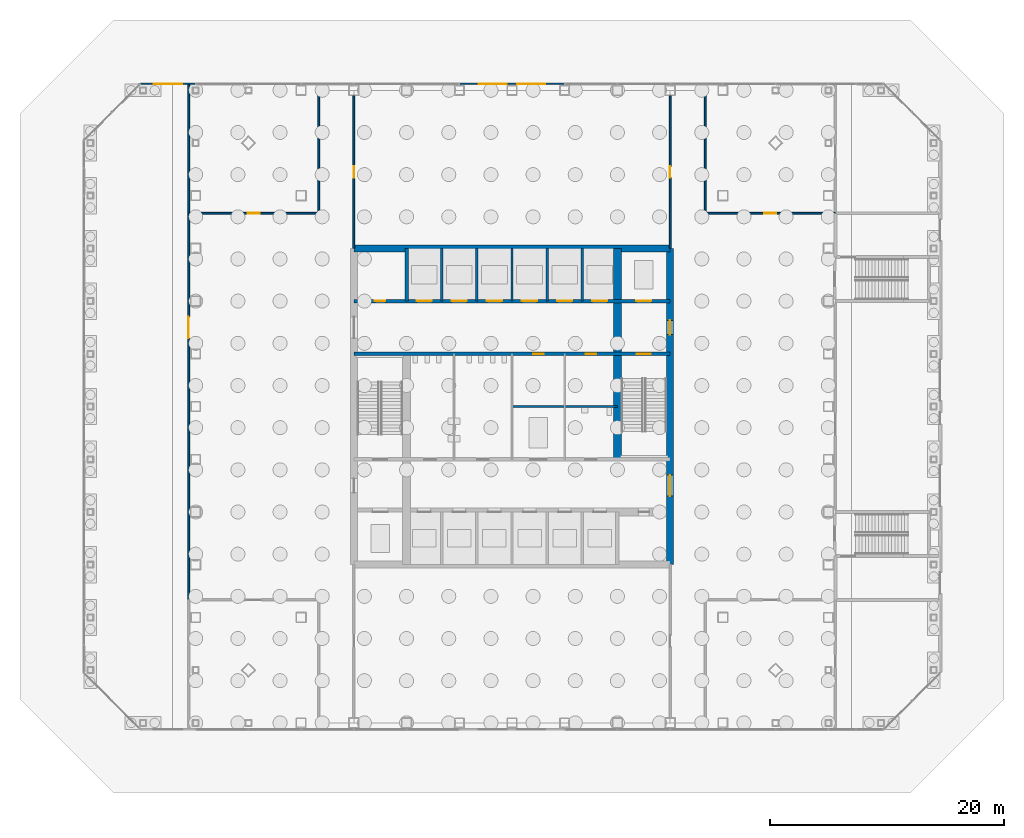
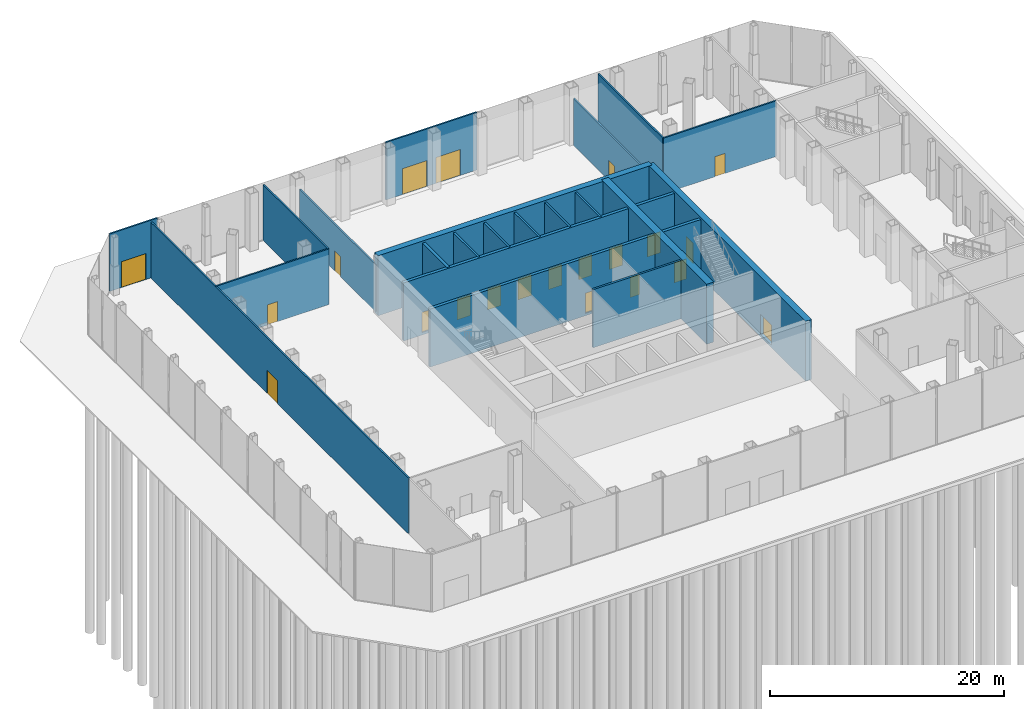
# One storey, part 18 of 24: 21 doors, 21 walls, 21 openings.
"""IFC4 building model written with IfcOpenShell, lengths in metres."""

import ifcopenshell
import ifcopenshell.guid

model = None  # the IFC model being written
_history = None  # IfcOwnerHistory: only IFC2X3 demands one
_inside = {}  # id of a spatial element -> (the spatial element, [elements in it])
_under = {}  # id of a project, library or spatial element -> (it, [spatial elements below it])
_declared = {}  # id of a project -> (the project, [libraries it declares])
_typed = {}  # id of a type object -> (the type object, [elements of that type])
_made_of = {}  # id of a material, layer set ... -> (it, [elements and type objects made of it])


def new_model(schema):
    """Start an empty IFC model of exactly this schema.

    Asked for "IFC4X3", IfcOpenShell would pick the latest addendum, in which some entities
    have other attributes; the version numbers below select the first issue.
    IFC2X3 requires an IfcOwnerHistory on every rooted entity: one is made here for all.
    """
    global model, _history
    if schema == "IFC4X3":
        model = ifcopenshell.file(schema_version=(4, 3, 0, 0))
    else:
        model = ifcopenshell.file(schema=schema)
    _inside.clear()
    _under.clear()
    _declared.clear()
    _typed.clear()
    _made_of.clear()
    _history = None
    if model.schema == "IFC2X3":
        org = make("IfcOrganization", Name="unknown")
        user = make(
            "IfcPersonAndOrganization",
            ThePerson=make("IfcPerson", FamilyName="unknown"),
            TheOrganization=org,
        )
        app = make(
            "IfcApplication",
            ApplicationDeveloper=org,
            Version="unknown",
            ApplicationFullName="unknown",
            ApplicationIdentifier="unknown",
        )
        _history = make(
            "IfcOwnerHistory",
            OwningUser=user,
            OwningApplication=app,
            ChangeAction="ADDED",
            CreationDate=0,
        )
    return model


def make(cls, **values):
    """One entity of the class cls with the attributes given. An attribute that is None is left unset."""
    return model.create_entity(
        cls, **{name: value for name, value in values.items() if value is not None}
    )


def rooted(cls, **values):
    """An entity with a GlobalId (a new one), such as an element, a storey or a relation."""
    return make(cls, GlobalId=ifcopenshell.guid.new(), OwnerHistory=_history, **values)


def si_unit(unit_type, name, prefix=None):
    """IfcSIUnit, for example si_unit("LENGTHUNIT", "METRE", prefix="MILLI")."""
    return make("IfcSIUnit", UnitType=unit_type, Prefix=prefix, Name=name)


def assignment(units):
    """IfcUnitAssignment: the units of a project."""
    return None if units is None else make("IfcUnitAssignment", Units=units)


def point(xyz):
    """IfcCartesianPoint."""
    return None if xyz is None else make("IfcCartesianPoint", Coordinates=xyz)


def direction(xyz):
    """IfcDirection."""
    return None if xyz is None else make("IfcDirection", DirectionRatios=xyz)


def frame(location, z_axis=None, x_axis=None):
    """IfcAxis2Placement3D, a coordinate frame: its origin and axes. An axis left out is left unset."""
    return make(
        "IfcAxis2Placement3D",
        Location=point(location),
        Axis=direction(z_axis),
        RefDirection=direction(x_axis),
    )


def frame_2d(location, x_axis=None):
    """IfcAxis2Placement2D, a coordinate frame in the plane: its origin and x axis."""
    return make(
        "IfcAxis2Placement2D", Location=point(location), RefDirection=direction(x_axis)
    )


def origin():
    """The frame at (0, 0, 0) with its axes left unset."""
    return frame((0.0, 0.0, 0.0))


def place(relative_to, where):
    """IfcLocalPlacement: puts the frame where relative to a parent placement (None: the world)."""
    return make(
        "IfcLocalPlacement", PlacementRelTo=relative_to, RelativePlacement=where
    )


def context(
    kind, dimensions, precision=None, world=None, true_north=None, identifier=None
):
    """IfcGeometricRepresentationContext, for example the 3D "Model" context."""
    return make(
        "IfcGeometricRepresentationContext",
        ContextIdentifier=identifier,
        ContextType=kind,
        CoordinateSpaceDimension=dimensions,
        Precision=precision,
        WorldCoordinateSystem=world,
        TrueNorth=true_north,
    )


def subcontext(parent, identifier, kind, view, scale=None):
    """IfcGeometricRepresentationSubContext, for example "Body" below "Model"."""
    return make(
        "IfcGeometricRepresentationSubContext",
        ContextIdentifier=identifier,
        ContextType=kind,
        ParentContext=parent,
        TargetScale=scale,
        TargetView=view,
    )


def project(units=None, contexts=None):
    """IfcProject with its units and contexts."""
    return rooted(
        "IfcProject",
        Name="project",
        RepresentationContexts=contexts,
        UnitsInContext=assignment(units),
    )


def spatial(cls, under=None, at=None, **own):
    """A site, building, storey or space (cls), placed at a placement, below another one or the project."""
    s = rooted(cls, ObjectPlacement=at, **own)
    if under is not None:
        _under.setdefault(under.id(), (under, []))[1].append(s)
    return s


def profile(cls, at=None, kind="AREA", **sizes):
    """A parametric profile (cls). Its sizes go by their IFC names, for example OverallWidth=200.0."""
    return make(cls, ProfileType=kind, Position=at, **sizes)


def rectangle(**sizes):
    """IfcRectangleProfileDef."""
    return profile("IfcRectangleProfileDef", **sizes)


def extrude(swept, where, along, depth):
    """IfcExtrudedAreaSolid: the profile swept, set in the frame where, extruded along a direction by depth."""
    return make(
        "IfcExtrudedAreaSolid",
        SweptArea=swept,
        Position=where,
        ExtrudedDirection=direction(along),
        Depth=depth,
    )


def shape(context_of_items, identifier, shape_type, items):
    """IfcShapeRepresentation: the items that make up one representation, for example the "Body"."""
    return make(
        "IfcShapeRepresentation",
        ContextOfItems=context_of_items,
        RepresentationIdentifier=identifier,
        RepresentationType=shape_type,
        Items=items,
    )


def material(Name=None, Category=None):
    """IfcMaterial."""
    return make("IfcMaterial", Name=Name, Category=Category)


def layer(
    of_material, thickness, ventilated=None, Name=None, Category=None, Priority=None
):
    """IfcMaterialLayer: one layer of a wall or slab, of a material (None: an air gap)."""
    return make(
        "IfcMaterialLayer",
        Material=of_material,
        LayerThickness=thickness,
        IsVentilated=ventilated,
        Name=Name,
        Category=Category,
        Priority=Priority,
    )


def layer_set(layers, Name=None):
    """IfcMaterialLayerSet."""
    return make("IfcMaterialLayerSet", MaterialLayers=layers, LayerSetName=Name)


def made_of(thing, what):
    """Note that an element or type object is made of a material, layer set ...; save() writes the relation."""
    if what is not None:
        _made_of.setdefault(what.id(), (what, []))[1].append(thing)
    return thing


def type_object(cls, material=None, **own):
    """A type object (cls), such as IfcWallType, which elements share."""
    return made_of(rooted(cls, **own), material)


def element(
    cls,
    number,
    at=None,
    inside=None,
    cuts=None,
    type_object=None,
    material=None,
    context=None,
    identifier="Body",
    shape_type=None,
    held_by="IfcProductDefinitionShape",
    body=None,
    shapes=None,
    **own,
):
    """One element of the class cls, such as IfcWall. Its Tag is "e" and its number.

    at: its placement. inside: the storey or other place that contains it. cuts: it is an
    opening in that element (IfcRelVoidsElement). A single representation is given by context,
    identifier, shape_type and body (its items); several are given by shapes. held_by: the class
    of the entity that holds the representations. save() writes the other relations.
    """
    e = rooted(cls, Tag="e%d" % number, ObjectPlacement=at, **own)
    if body is not None:
        shapes = [shape(context, identifier, shape_type, body)]
    if shapes is not None:
        e.Representation = make(held_by, Representations=shapes)
    if inside is not None:
        _inside.setdefault(inside.id(), (inside, []))[1].append(e)
    if cuts is not None:
        rooted(
            "IfcRelVoidsElement", RelatingBuildingElement=cuts, RelatedOpeningElement=e
        )
    if type_object is not None:
        _typed.setdefault(type_object.id(), (type_object, []))[1].append(e)
    return made_of(e, material)


def fill(opening, filler):
    """IfcRelFillsElement: the door or window that sits in an opening."""
    return rooted(
        "IfcRelFillsElement",
        RelatingOpeningElement=opening,
        RelatedBuildingElement=filler,
    )


def aggregate(whole, parts):
    """IfcRelAggregates: a whole, such as a stair, and the parts it consists of."""
    return rooted("IfcRelAggregates", RelatingObject=whole, RelatedObjects=parts)


def save(model, path):
    """Write the relations noted so far, then the file.

    IfcRelAggregates (storeys below a building ...), IfcRelContainedInSpatialStructure (elements
    in a storey), IfcRelDefinesByType, IfcRelAssociatesMaterial and IfcRelDeclares: one each for
    every whole, place, type object, material and project.
    """
    for whole, parts in _under.values():
        aggregate(whole, parts)
    for where, things in _inside.values():
        rooted(
            "IfcRelContainedInSpatialStructure",
            RelatedElements=things,
            RelatingStructure=where,
        )
    for kind, things in _typed.values():
        rooted("IfcRelDefinesByType", RelatedObjects=things, RelatingType=kind)
    for what, things in _made_of.values():
        rooted("IfcRelAssociatesMaterial", RelatedObjects=things, RelatingMaterial=what)
    for by, libraries in _declared.values():
        rooted("IfcRelDeclares", RelatingContext=by, RelatedDefinitions=libraries)
    model.write(path)


model = new_model("IFC4")

# Units and contexts
model_context = context("Model", 3, precision=1e-05, world=origin(), true_north=direction((0.0, 1.0)))
body_context = subcontext(model_context, "Body", "Model", "MODEL_VIEW")
ifc_project = project(units=[si_unit("LENGTHUNIT", "METRE"), si_unit("AREAUNIT", "SQUARE_METRE"), si_unit("VOLUMEUNIT", "CUBIC_METRE"), si_unit("PLANEANGLEUNIT", "RADIAN"), si_unit("MASSUNIT", "GRAM", prefix="KILO")], contexts=[model_context])

# Site, building, storey
site_placement = place(None, origin())
site = spatial("IfcSite", under=ifc_project, at=site_placement, CompositionType="ELEMENT")
building_placement = place(site_placement, origin())
building = spatial("IfcBuilding", under=site, at=building_placement, Name="Corais Broadcast Tower", CompositionType="ELEMENT")
storey_placement = place(building_placement, origin())
storey = spatial("IfcBuildingStorey", under=building, at=storey_placement, Name="L00", CompositionType="ELEMENT", Elevation=0.0)

# Wall
ifc_material_1 = material(Name="Concrete blockwork class A, grouted, two-hour", Category="masonry")
ifc_layer_1 = layer(ifc_material_1, 0.300048828125)
ifc_layer_set_1 = layer_set([ifc_layer_1], Name="Concrete blockwork class A, grouted, two-hour")
wall_type_1 = type_object("IfcWallType", Name="Core lobby wall 300", PredefinedType="SOLIDWALL", material=ifc_layer_set_1)
wall_1_placement = place(storey_placement, frame((18.0, 36.0, -0.25), z_axis=(0.0, 0.0, 1.0), x_axis=(0.0, 1.0, 0.0)))
element("IfcWall", 1, at=wall_1_placement, inside=storey, type_object=wall_type_1, Name="CL1 core shaft wall X18B L00", PredefinedType="SOLIDWALL", context=body_context, shape_type="SweptSolid", body=[
    extrude(rectangle(XDim=4.5, YDim=0.300048828125, at=frame_2d((2.25, 0.0))), origin(), (0.0, 0.0, 1.0), 6.050048828125),
])

# Wall, openings, doors
wall_2_placement = place(storey_placement, frame((13.5, 31.5, -0.25), z_axis=(0.0, 0.0, 1.0), x_axis=(1.0, 0.0, 0.0)))
wall_2 = element("IfcWall", 2, at=wall_2_placement, inside=storey, type_object=wall_type_1, Name="CL1 core lobby wall Y315 L00", PredefinedType="SOLIDWALL", context=body_context, shape_type="SweptSolid", body=[
    extrude(rectangle(XDim=27.0, YDim=0.300048828125, at=frame_2d((13.5, 0.0))), origin(), (0.0, 0.0, 1.0), 6.050048828125),
])
opening_1_placement = place(wall_2_placement, frame((24.14990234375, 0.0, 0.25)))
opening_1 = element("IfcOpeningElement", 3, at=opening_1_placement, cuts=wall_2, Name="Opening FD1", PredefinedType="OPENING", context=body_context, shape_type="SweptSolid", body=[
    extrude(rectangle(XDim=1.199951171875, YDim=2.10009765625, at=frame_2d((0.60009765625, 1.050048828125))), frame((0.0, 0.159912109375, 0.0), z_axis=(0.0, -1.0, 0.0), x_axis=(1.0, 0.0, 0.0)), (0.0, 0.0, 1.0), 0.320068359375),
])
opening_2_placement = place(wall_2_placement, frame((15.300048828125, 0.0, 0.25)))
opening_2 = element("IfcOpeningElement", 4, at=opening_2_placement, cuts=wall_2, Name="Opening RD1", PredefinedType="OPENING", context=body_context, shape_type="SweptSolid", body=[
    extrude(rectangle(XDim=0.89990234375, YDim=2.10009765625, at=frame_2d((0.449951171875, 1.050048828125))), frame((0.0, 0.159912109375, 0.0), z_axis=(0.0, -1.0, 0.0), x_axis=(1.0, 0.0, 0.0)), (0.0, 0.0, 1.0), 0.320068359375),
])
opening_3_placement = place(wall_2_placement, frame((19.800048828125, 0.0, 0.25)))
opening_3 = element("IfcOpeningElement", 5, at=opening_3_placement, cuts=wall_2, Name="Opening RD1", PredefinedType="OPENING", context=body_context, shape_type="SweptSolid", body=[
    extrude(rectangle(XDim=0.89990234375, YDim=2.10009765625, at=frame_2d((0.449951171875, 1.050048828125))), frame((0.0, 0.159912109375, 0.0), z_axis=(0.0, -1.0, 0.0), x_axis=(1.0, 0.0, 0.0)), (0.0, 0.0, 1.0), 0.320068359375),
])
ifc_material_2 = material(Name="Steel fire door", Category="steel")
door_type_1 = type_object("IfcDoorType", Name="Fire door 1200x2100", OperationType="SINGLE_SWING_LEFT", PredefinedType="DOOR", material=ifc_material_2)
door_1_placement = place(opening_1_placement, origin())
door_1 = element("IfcDoor", 6, at=door_1_placement, inside=storey, type_object=door_type_1, Name="FD1 stair B door L00", OperationType="SINGLE_SWING_RIGHT", OverallHeight=2.10009765625, OverallWidth=1.199951171875, PredefinedType="DOOR", context=body_context, shape_type="SweptSolid", body=[
    extrude(rectangle(XDim=1.199951171875, YDim=2.10009765625, at=frame_2d((0.60009765625, 1.050048828125))), frame((0.0, 0.02490234375, 0.0), z_axis=(0.0, -1.0, 0.0), x_axis=(1.0, 0.0, 0.0)), (0.0, 0.0, 1.0), 0.050048828125),
])
fill(opening_1, door_1)
ifc_material_3 = material(Name="Steel fire door", Category="steel")
door_type_2 = type_object("IfcDoorType", Name="Riser door 900x2100", OperationType="SINGLE_SWING_LEFT", PredefinedType="DOOR", material=ifc_material_3)
door_2_placement = place(opening_2_placement, origin())
door_2 = element("IfcDoor", 7, at=door_2_placement, inside=storey, type_object=door_type_2, Name="RD1 cleaner's store door L00", OperationType="SINGLE_SWING_RIGHT", OverallHeight=2.10009765625, OverallWidth=0.89990234375, PredefinedType="DOOR", context=body_context, shape_type="SweptSolid", body=[
    extrude(rectangle(XDim=0.89990234375, YDim=2.10009765625, at=frame_2d((0.449951171875, 1.050048828125))), frame((0.0, 0.02490234375, 0.0), z_axis=(0.0, -1.0, 0.0), x_axis=(1.0, 0.0, 0.0)), (0.0, 0.0, 1.0), 0.050048828125),
])
fill(opening_2, door_2)
door_3_placement = place(opening_3_placement, origin())
door_3 = element("IfcDoor", 8, at=door_3_placement, inside=storey, type_object=door_type_2, Name="RD1 riser door L00", OperationType="SINGLE_SWING_RIGHT", OverallHeight=2.10009765625, OverallWidth=0.89990234375, PredefinedType="DOOR", context=body_context, shape_type="SweptSolid", body=[
    extrude(rectangle(XDim=0.89990234375, YDim=2.10009765625, at=frame_2d((0.449951171875, 1.050048828125))), frame((0.0, 0.02490234375, 0.0), z_axis=(0.0, -1.0, 0.0), x_axis=(1.0, 0.0, 0.0)), (0.0, 0.0, 1.0), 0.050048828125),
])
fill(opening_3, door_3)

# Wall
ifc_material_4 = material(Name="Concrete C50/60", Category="concrete")
ifc_layer_2 = layer(ifc_material_4, 0.699951171875)
ifc_layer_set_2 = layer_set([ifc_layer_2], Name="Concrete C50/60")
wall_type_2 = type_object("IfcWallType", Name="Core spine wall 700", PredefinedType="SHEAR", material=ifc_layer_set_2)
wall_3_placement = place(storey_placement, frame((36.0, 22.5, -0.25), z_axis=(0.0, 0.0, 1.0), x_axis=(0.0, 1.0, 0.0)))
element("IfcWall", 9, at=wall_3_placement, inside=storey, type_object=wall_type_2, Name="CR700 core wall X36B L00", PredefinedType="SHEAR", context=body_context, shape_type="SweptSolid", body=[
    extrude(rectangle(XDim=18.0, YDim=0.699951171875, at=frame_2d((9.0, 0.0))), origin(), (0.0, 0.0, 1.0), 6.25),
])

# Wall, openings, doors
ifc_material_5 = material(Name="Concrete C50/60", Category="concrete")
ifc_layer_3 = layer(ifc_material_5, 0.60009765625)
ifc_layer_set_3 = layer_set([ifc_layer_3], Name="Concrete C50/60")
wall_type_3 = type_object("IfcWallType", Name="Core wall 600", PredefinedType="SHEAR", material=ifc_layer_set_3)
wall_4_placement = place(storey_placement, frame((40.5, 13.5, -0.25), z_axis=(0.0, 0.0, 1.0), x_axis=(0.0, 1.0, 0.0)))
wall_4 = element("IfcWall", 10, at=wall_4_placement, inside=storey, type_object=wall_type_3, Name="CR600 core wall E L00", PredefinedType="SHEAR", context=body_context, shape_type="SweptSolid", body=[
    extrude(rectangle(XDim=27.0, YDim=0.60009765625, at=frame_2d((13.5, 0.0))), origin(), (0.0, 0.0, 1.0), 6.25),
])
opening_4_placement = place(wall_4_placement, frame((5.85009765625, 0.0, 0.25)))
opening_4 = element("IfcOpeningElement", 11, at=opening_4_placement, cuts=wall_4, Name="Opening FD2", PredefinedType="OPENING", context=body_context, shape_type="SweptSolid", body=[
    extrude(rectangle(XDim=1.800048828125, YDim=2.10009765625, at=frame_2d((0.89990234375, 1.050048828125))), frame((0.0, 0.31005859375, 0.0), z_axis=(0.0, -1.0, 0.0), x_axis=(1.0, 0.0, 0.0)), (0.0, 0.0, 1.0), 0.6201171875),
])
opening_5_placement = place(wall_4_placement, frame((19.64990234375, 0.0, 0.25)))
opening_5 = element("IfcOpeningElement", 12, at=opening_5_placement, cuts=wall_4, Name="Opening FD1", PredefinedType="OPENING", context=body_context, shape_type="SweptSolid", body=[
    extrude(rectangle(XDim=1.199951171875, YDim=2.10009765625, at=frame_2d((0.60009765625, 1.050048828125))), frame((0.0, 0.31005859375, 0.0), z_axis=(0.0, -1.0, 0.0), x_axis=(1.0, 0.0, 0.0)), (0.0, 0.0, 1.0), 0.6201171875),
])
door_4_placement = place(opening_5_placement, origin())
door_4 = element("IfcDoor", 13, at=door_4_placement, inside=storey, type_object=door_type_1, Name="FD1 fire lobby B door L00", OperationType="SINGLE_SWING_RIGHT", OverallHeight=2.10009765625, OverallWidth=1.199951171875, PredefinedType="DOOR", context=body_context, shape_type="SweptSolid", body=[
    extrude(rectangle(XDim=1.199951171875, YDim=2.10009765625, at=frame_2d((0.60009765625, 1.050048828125))), frame((0.0, 0.02490234375, 0.0), z_axis=(0.0, -1.0, 0.0), x_axis=(1.0, 0.0, 0.0)), (0.0, 0.0, 1.0), 0.050048828125),
])
fill(opening_5, door_4)
ifc_material_6 = material(Name="Steel fire door", Category="steel")
door_type_3 = type_object("IfcDoorType", Name="Fire door pair 1800x2100", OperationType="DOUBLE_DOOR_SINGLE_SWING", PredefinedType="DOOR", material=ifc_material_6)
door_5_placement = place(opening_4_placement, origin())
door_5 = element("IfcDoor", 14, at=door_5_placement, inside=storey, type_object=door_type_3, Name="FD2 lift lobby door L00", OperationType="SINGLE_SWING_LEFT", OverallHeight=2.10009765625, OverallWidth=1.800048828125, PredefinedType="DOOR", context=body_context, shape_type="SweptSolid", body=[
    extrude(rectangle(XDim=1.800048828125, YDim=2.10009765625, at=frame_2d((0.89990234375, 1.050048828125))), frame((0.0, 0.02490234375, 0.0), z_axis=(0.0, -1.0, 0.0), x_axis=(1.0, 0.0, 0.0)), (0.0, 0.0, 1.0), 0.050048828125),
])
fill(opening_4, door_5)

# Wall
wall_5_placement = place(storey_placement, frame((40.5, 40.5, -0.25), z_axis=(0.0, 0.0, 1.0), x_axis=(-1.0, 0.0, 0.0)))
element("IfcWall", 15, at=wall_5_placement, inside=storey, type_object=wall_type_3, Name="CR600 core wall N L00", PredefinedType="SHEAR", context=body_context, shape_type="SweptSolid", body=[
    extrude(rectangle(XDim=27.0, YDim=0.60009765625, at=frame_2d((13.5, 0.0))), origin(), (0.0, 0.0, 1.0), 6.25),
])

# Wall, openings, doors
ifc_material_7 = material(Name="Concrete blockwork class A, grouted, four-hour", Category="masonry")
ifc_layer_4 = layer(ifc_material_7, 0.300048828125)
ifc_layer_set_4 = layer_set([ifc_layer_4], Name="Concrete blockwork class A, grouted, four-hour")
wall_type_4 = type_object("IfcWallType", Name="Emergency lift shaft wall 300", PredefinedType="SOLIDWALL", material=ifc_layer_set_4)
wall_6_placement = place(storey_placement, frame((13.5, 36.0, -0.25), z_axis=(0.0, 0.0, 1.0), x_axis=(1.0, 0.0, 0.0)))
wall_6 = element("IfcWall", 16, at=wall_6_placement, inside=storey, type_object=wall_type_4, Name="LS1 core lobby wall Y36 L00", PredefinedType="SOLIDWALL", context=body_context, shape_type="SweptSolid", body=[
    extrude(rectangle(XDim=27.0, YDim=0.300048828125, at=frame_2d((13.5, 0.0))), origin(), (0.0, 0.0, 1.0), 6.050048828125),
])
opening_6_placement = place(wall_6_placement, frame((1.800048828125, 0.0, 0.25)))
opening_6 = element("IfcOpeningElement", 17, at=opening_6_placement, cuts=wall_6, Name="Opening RD1", PredefinedType="OPENING", context=body_context, shape_type="SweptSolid", body=[
    extrude(rectangle(XDim=0.89990234375, YDim=2.10009765625, at=frame_2d((0.449951171875, 1.050048828125))), frame((0.0, 0.159912109375, 0.0), z_axis=(0.0, -1.0, 0.0), x_axis=(1.0, 0.0, 0.0)), (0.0, 0.0, 1.0), 0.320068359375),
])
opening_7_placement = place(wall_6_placement, frame((5.35009765625, 0.0, 0.25)))
opening_7 = element("IfcOpeningElement", 18, at=opening_7_placement, cuts=wall_6, Name="Opening LD2", PredefinedType="OPENING", context=body_context, shape_type="SweptSolid", body=[
    extrude(rectangle(XDim=1.300048828125, YDim=2.199951171875, at=frame_2d((0.64990234375, 1.10009765625))), frame((0.0, 0.159912109375, 0.0), z_axis=(0.0, -1.0, 0.0), x_axis=(1.0, 0.0, 0.0)), (0.0, 0.0, 1.0), 0.320068359375),
])
opening_8_placement = place(wall_6_placement, frame((14.35009765625, 0.0, 0.25)))
opening_8 = element("IfcOpeningElement", 19, at=opening_8_placement, cuts=wall_6, Name="Opening LD2", PredefinedType="OPENING", context=body_context, shape_type="SweptSolid", body=[
    extrude(rectangle(XDim=1.300048828125, YDim=2.199951171875, at=frame_2d((0.64990234375, 1.10009765625))), frame((0.0, 0.159912109375, 0.0), z_axis=(0.0, -1.0, 0.0), x_axis=(1.0, 0.0, 0.0)), (0.0, 0.0, 1.0), 0.320068359375),
])
opening_9_placement = place(wall_6_placement, frame((8.35009765625, 0.0, 0.25)))
opening_9 = element("IfcOpeningElement", 20, at=opening_9_placement, cuts=wall_6, Name="Opening LD2", PredefinedType="OPENING", context=body_context, shape_type="SweptSolid", body=[
    extrude(rectangle(XDim=1.300048828125, YDim=2.199951171875, at=frame_2d((0.64990234375, 1.10009765625))), frame((0.0, 0.159912109375, 0.0), z_axis=(0.0, -1.0, 0.0), x_axis=(1.0, 0.0, 0.0)), (0.0, 0.0, 1.0), 0.320068359375),
])
opening_10_placement = place(wall_6_placement, frame((17.35009765625, 0.0, 0.25)))
opening_10 = element("IfcOpeningElement", 21, at=opening_10_placement, cuts=wall_6, Name="Opening LD2", PredefinedType="OPENING", context=body_context, shape_type="SweptSolid", body=[
    extrude(rectangle(XDim=1.300048828125, YDim=2.199951171875, at=frame_2d((0.64990234375, 1.10009765625))), frame((0.0, 0.159912109375, 0.0), z_axis=(0.0, -1.0, 0.0), x_axis=(1.0, 0.0, 0.0)), (0.0, 0.0, 1.0), 0.320068359375),
])
opening_11_placement = place(wall_6_placement, frame((11.35009765625, 0.0, 0.25)))
opening_11 = element("IfcOpeningElement", 22, at=opening_11_placement, cuts=wall_6, Name="Opening LD2", PredefinedType="OPENING", context=body_context, shape_type="SweptSolid", body=[
    extrude(rectangle(XDim=1.300048828125, YDim=2.199951171875, at=frame_2d((0.64990234375, 1.10009765625))), frame((0.0, 0.159912109375, 0.0), z_axis=(0.0, -1.0, 0.0), x_axis=(1.0, 0.0, 0.0)), (0.0, 0.0, 1.0), 0.320068359375),
])
opening_12_placement = place(wall_6_placement, frame((20.35009765625, 0.0, 0.25)))
opening_12 = element("IfcOpeningElement", 23, at=opening_12_placement, cuts=wall_6, Name="Opening LD2", PredefinedType="OPENING", context=body_context, shape_type="SweptSolid", body=[
    extrude(rectangle(XDim=1.300048828125, YDim=2.199951171875, at=frame_2d((0.64990234375, 1.10009765625))), frame((0.0, 0.159912109375, 0.0), z_axis=(0.0, -1.0, 0.0), x_axis=(1.0, 0.0, 0.0)), (0.0, 0.0, 1.0), 0.320068359375),
])
opening_13_placement = place(wall_6_placement, frame((24.10009765625, 0.0, 0.25)))
opening_13 = element("IfcOpeningElement", 24, at=opening_13_placement, cuts=wall_6, Name="Opening LD2", PredefinedType="OPENING", context=body_context, shape_type="SweptSolid", body=[
    extrude(rectangle(XDim=1.300048828125, YDim=2.199951171875, at=frame_2d((0.64990234375, 1.10009765625))), frame((0.0, 0.159912109375, 0.0), z_axis=(0.0, -1.0, 0.0), x_axis=(1.0, 0.0, 0.0)), (0.0, 0.0, 1.0), 0.320068359375),
])
ifc_material_8 = material(Name="Stainless steel lift door", Category="steel")
door_type_4 = type_object("IfcDoorType", Name="Lift landing door 1300x2200", OperationType="SLIDING_TO_LEFT", PredefinedType="DOOR", material=ifc_material_8)
door_6_placement = place(opening_7_placement, origin())
door_6 = element("IfcDoor", 25, at=door_6_placement, inside=storey, type_object=door_type_4, Name="LD2 SH1 landing door L00", OperationType="SLIDING_TO_LEFT", OverallHeight=2.199951171875, OverallWidth=1.300048828125, PredefinedType="DOOR", context=body_context, shape_type="SweptSolid", body=[
    extrude(rectangle(XDim=1.300048828125, YDim=2.199951171875, at=frame_2d((0.64990234375, 1.10009765625))), frame((0.0, 0.02490234375, 0.0), z_axis=(0.0, -1.0, 0.0), x_axis=(1.0, 0.0, 0.0)), (0.0, 0.0, 1.0), 0.050048828125),
])
fill(opening_7, door_6)
door_7_placement = place(opening_8_placement, origin())
door_7 = element("IfcDoor", 26, at=door_7_placement, inside=storey, type_object=door_type_4, Name="LD2 SH4 landing door L00", OperationType="SLIDING_TO_LEFT", OverallHeight=2.199951171875, OverallWidth=1.300048828125, PredefinedType="DOOR", context=body_context, shape_type="SweptSolid", body=[
    extrude(rectangle(XDim=1.300048828125, YDim=2.199951171875, at=frame_2d((0.64990234375, 1.10009765625))), frame((0.0, 0.02490234375, 0.0), z_axis=(0.0, -1.0, 0.0), x_axis=(1.0, 0.0, 0.0)), (0.0, 0.0, 1.0), 0.050048828125),
])
fill(opening_8, door_7)
door_8_placement = place(opening_9_placement, origin())
door_8 = element("IfcDoor", 27, at=door_8_placement, inside=storey, type_object=door_type_4, Name="LD2 SH2 landing door L00", OperationType="SLIDING_TO_LEFT", OverallHeight=2.199951171875, OverallWidth=1.300048828125, PredefinedType="DOOR", context=body_context, shape_type="SweptSolid", body=[
    extrude(rectangle(XDim=1.300048828125, YDim=2.199951171875, at=frame_2d((0.64990234375, 1.10009765625))), frame((0.0, 0.02490234375, 0.0), z_axis=(0.0, -1.0, 0.0), x_axis=(1.0, 0.0, 0.0)), (0.0, 0.0, 1.0), 0.050048828125),
])
fill(opening_9, door_8)
door_9_placement = place(opening_10_placement, origin())
door_9 = element("IfcDoor", 28, at=door_9_placement, inside=storey, type_object=door_type_4, Name="LD2 SH5 landing door L00", OperationType="SLIDING_TO_LEFT", OverallHeight=2.199951171875, OverallWidth=1.300048828125, PredefinedType="DOOR", context=body_context, shape_type="SweptSolid", body=[
    extrude(rectangle(XDim=1.300048828125, YDim=2.199951171875, at=frame_2d((0.64990234375, 1.10009765625))), frame((0.0, 0.02490234375, 0.0), z_axis=(0.0, -1.0, 0.0), x_axis=(1.0, 0.0, 0.0)), (0.0, 0.0, 1.0), 0.050048828125),
])
fill(opening_10, door_9)
door_10_placement = place(opening_11_placement, origin())
door_10 = element("IfcDoor", 29, at=door_10_placement, inside=storey, type_object=door_type_4, Name="LD2 SH3 landing door L00", OperationType="SLIDING_TO_LEFT", OverallHeight=2.199951171875, OverallWidth=1.300048828125, PredefinedType="DOOR", context=body_context, shape_type="SweptSolid", body=[
    extrude(rectangle(XDim=1.300048828125, YDim=2.199951171875, at=frame_2d((0.64990234375, 1.10009765625))), frame((0.0, 0.02490234375, 0.0), z_axis=(0.0, -1.0, 0.0), x_axis=(1.0, 0.0, 0.0)), (0.0, 0.0, 1.0), 0.050048828125),
])
fill(opening_11, door_10)
door_11_placement = place(opening_12_placement, origin())
door_11 = element("IfcDoor", 30, at=door_11_placement, inside=storey, type_object=door_type_4, Name="LD2 SH6 landing door L00", OperationType="SLIDING_TO_LEFT", OverallHeight=2.199951171875, OverallWidth=1.300048828125, PredefinedType="DOOR", context=body_context, shape_type="SweptSolid", body=[
    extrude(rectangle(XDim=1.300048828125, YDim=2.199951171875, at=frame_2d((0.64990234375, 1.10009765625))), frame((0.0, 0.02490234375, 0.0), z_axis=(0.0, -1.0, 0.0), x_axis=(1.0, 0.0, 0.0)), (0.0, 0.0, 1.0), 0.050048828125),
])
fill(opening_12, door_11)
door_12_placement = place(opening_13_placement, origin())
door_12 = element("IfcDoor", 31, at=door_12_placement, inside=storey, type_object=door_type_4, Name="LD2 FL2 landing door L00", OperationType="SLIDING_TO_LEFT", OverallHeight=2.199951171875, OverallWidth=1.300048828125, PredefinedType="DOOR", context=body_context, shape_type="SweptSolid", body=[
    extrude(rectangle(XDim=1.300048828125, YDim=2.199951171875, at=frame_2d((0.64990234375, 1.10009765625))), frame((0.0, 0.02490234375, 0.0), z_axis=(0.0, -1.0, 0.0), x_axis=(1.0, 0.0, 0.0)), (0.0, 0.0, 1.0), 0.050048828125),
])
fill(opening_13, door_12)
door_13_placement = place(opening_6_placement, origin())
door_13 = element("IfcDoor", 32, at=door_13_placement, inside=storey, type_object=door_type_2, Name="RD1 riser door L00", OperationType="SINGLE_SWING_LEFT", OverallHeight=2.10009765625, OverallWidth=0.89990234375, PredefinedType="DOOR", context=body_context, shape_type="SweptSolid", body=[
    extrude(rectangle(XDim=0.89990234375, YDim=2.10009765625, at=frame_2d((0.449951171875, 1.050048828125))), frame((0.0, 0.02490234375, 0.0), z_axis=(0.0, -1.0, 0.0), x_axis=(1.0, 0.0, 0.0)), (0.0, 0.0, 1.0), 0.050048828125),
])
fill(opening_6, door_13)

# Wall, opening, door
ifc_material_9 = material(Name="Clear laminated glass in stainless steel frame", Category="steel")
ifc_layer_5 = layer(ifc_material_9, 0.14990234375)
ifc_layer_set_5 = layer_set([ifc_layer_5], Name="Clear laminated glass in stainless steel frame")
wall_type_5 = type_object("IfcWallType", Name="Glazed entrance screen 150", PredefinedType="USERDEFINED", material=ifc_layer_set_5)
wall_7_placement = place(storey_placement, frame((0.0, 54.550048828125, 0.0), z_axis=(0.0, 0.0, 1.0), x_axis=(-1.0, 0.0, 0.0)))
wall_7 = element("IfcWall", 33, at=wall_7_placement, inside=storey, type_object=wall_type_5, Name="ES1 screen wall L00", ObjectType="ENTRANCE SCREEN", PredefinedType="USERDEFINED", context=body_context, shape_type="SweptSolid", body=[
    extrude(rectangle(XDim=4.727783203125, YDim=0.14990234375, at=frame_2d((2.36376953125, 0.0))), origin(), (0.0, 0.0, 1.0), 6.0),
])
opening_14_placement = place(wall_7_placement, frame((1.163818359375, 0.0, 0.0)))
opening_14 = element("IfcOpeningElement", 34, at=opening_14_placement, cuts=wall_7, Name="Opening ED1", PredefinedType="OPENING", context=body_context, shape_type="SweptSolid", body=[
    extrude(rectangle(XDim=2.39990234375, YDim=2.699951171875, at=frame_2d((1.199951171875, 1.35009765625))), frame((0.0, 0.0849609375, 0.0), z_axis=(0.0, -1.0, 0.0), x_axis=(1.0, 0.0, 0.0)), (0.0, 0.0, 1.0), 0.169921875),
])
ifc_material_10 = material(Name="Stainless steel and glass", Category="steel")
door_type_5 = type_object("IfcDoorType", Name="Entrance double door 2400x2700", OperationType="DOUBLE_DOOR_SINGLE_SWING", PredefinedType="DOOR", material=ifc_material_10)
door_14_placement = place(opening_14_placement, origin())
door_14 = element("IfcDoor", 35, at=door_14_placement, inside=storey, type_object=door_type_5, Name="ED1 ED-L00-2-0", OperationType="SINGLE_SWING_LEFT", OverallHeight=2.699951171875, OverallWidth=2.39990234375, PredefinedType="DOOR", context=body_context, shape_type="SweptSolid", body=[
    extrude(rectangle(XDim=2.39990234375, YDim=2.699951171875, at=frame_2d((1.199951171875, 1.35009765625))), frame((0.0, 0.02490234375, 0.0), z_axis=(0.0, -1.0, 0.0), x_axis=(1.0, 0.0, 0.0)), (0.0, 0.0, 1.0), 0.050048828125),
])
fill(opening_14, door_14)

# Wall, openings, doors
wall_8_placement = place(storey_placement, frame((31.5, 54.550048828125, 0.0), z_axis=(0.0, 0.0, 1.0), x_axis=(-1.0, 0.0, 0.0)))
wall_8 = element("IfcWall", 36, at=wall_8_placement, inside=storey, type_object=wall_type_5, Name="ES1 screen wall L00", ObjectType="ENTRANCE SCREEN", PredefinedType="USERDEFINED", context=body_context, shape_type="SweptSolid", body=[
    extrude(rectangle(XDim=9.0, YDim=0.14990234375, at=frame_2d((4.5, 0.0))), origin(), (0.0, 0.0, 1.0), 6.0),
])
opening_15_placement = place(wall_8_placement, frame((1.64990234375, 0.0, 0.0)))
opening_15 = element("IfcOpeningElement", 37, at=opening_15_placement, cuts=wall_8, Name="Opening ED1", PredefinedType="OPENING", context=body_context, shape_type="SweptSolid", body=[
    extrude(rectangle(XDim=2.39990234375, YDim=2.699951171875, at=frame_2d((1.199951171875, 1.35009765625))), frame((0.0, 0.0849609375, 0.0), z_axis=(0.0, -1.0, 0.0), x_axis=(1.0, 0.0, 0.0)), (0.0, 0.0, 1.0), 0.169921875),
])
opening_16_placement = place(wall_8_placement, frame((4.949951171875, 0.0, 0.0)))
opening_16 = element("IfcOpeningElement", 38, at=opening_16_placement, cuts=wall_8, Name="Opening ED1", PredefinedType="OPENING", context=body_context, shape_type="SweptSolid", body=[
    extrude(rectangle(XDim=2.39990234375, YDim=2.699951171875, at=frame_2d((1.199951171875, 1.35009765625))), frame((0.0, 0.0849609375, 0.0), z_axis=(0.0, -1.0, 0.0), x_axis=(1.0, 0.0, 0.0)), (0.0, 0.0, 1.0), 0.169921875),
])
door_15_placement = place(opening_15_placement, origin())
door_15 = element("IfcDoor", 39, at=door_15_placement, inside=storey, type_object=door_type_5, Name="ED1 ED-L00-3-0", OperationType="SINGLE_SWING_LEFT", OverallHeight=2.699951171875, OverallWidth=2.39990234375, PredefinedType="DOOR", context=body_context, shape_type="SweptSolid", body=[
    extrude(rectangle(XDim=2.39990234375, YDim=2.699951171875, at=frame_2d((1.199951171875, 1.35009765625))), frame((0.0, 0.02490234375, 0.0), z_axis=(0.0, -1.0, 0.0), x_axis=(1.0, 0.0, 0.0)), (0.0, 0.0, 1.0), 0.050048828125),
])
fill(opening_15, door_15)
door_16_placement = place(opening_16_placement, origin())
door_16 = element("IfcDoor", 40, at=door_16_placement, inside=storey, type_object=door_type_5, Name="ED1 ED-L00-3-1", OperationType="SINGLE_SWING_LEFT", OverallHeight=2.699951171875, OverallWidth=2.39990234375, PredefinedType="DOOR", context=body_context, shape_type="SweptSolid", body=[
    extrude(rectangle(XDim=2.39990234375, YDim=2.699951171875, at=frame_2d((1.199951171875, 1.35009765625))), frame((0.0, 0.02490234375, 0.0), z_axis=(0.0, -1.0, 0.0), x_axis=(1.0, 0.0, 0.0)), (0.0, 0.0, 1.0), 0.050048828125),
])
fill(opening_16, door_16)

# Wall, opening, door
ifc_material_11 = material(Name="Gypsum board on steel studs", Category="steel")
ifc_layer_6 = layer(ifc_material_11, 0.14990234375)
ifc_layer_set_6 = layer_set([ifc_layer_6], Name="Gypsum board on steel studs")
wall_type_6 = type_object("IfcWallType", Name="Partition 150", PredefinedType="PARTITIONING", material=ifc_layer_set_6)
wall_9_placement = place(storey_placement, frame((-0.60009765625, 10.5, 0.0), z_axis=(0.0, 0.0, 1.0), x_axis=(0.0, 1.0, 0.0)))
wall_9 = element("IfcWall", 41, at=wall_9_placement, inside=storey, type_object=wall_type_6, Name="IW3 partition L00", PredefinedType="PARTITIONING", context=body_context, shape_type="SweptSolid", body=[
    extrude(rectangle(XDim=43.97509765625, YDim=0.14990234375, at=frame_2d((21.987548828125, 0.0))), origin(), (0.0, 0.0, 1.0), 5.800048828125),
])
opening_17_placement = place(wall_9_placement, frame((22.35009765625, 0.0, 0.0)))
opening_17 = element("IfcOpeningElement", 42, at=opening_17_placement, cuts=wall_9, Name="Opening D2", PredefinedType="OPENING", context=body_context, shape_type="SweptSolid", body=[
    extrude(rectangle(XDim=1.800048828125, YDim=2.39990234375, at=frame_2d((0.89990234375, 1.199951171875))), frame((0.0, 0.0849609375, 0.0), z_axis=(0.0, -1.0, 0.0), x_axis=(1.0, 0.0, 0.0)), (0.0, 0.0, 1.0), 0.169921875),
])
ifc_material_12 = material(Name="Timber door", Category="wood")
door_type_6 = type_object("IfcDoorType", Name="Double door 1800x2400", OperationType="DOUBLE_DOOR_SINGLE_SWING", PredefinedType="DOOR", material=ifc_material_12)
door_17_placement = place(opening_17_placement, origin())
door_17 = element("IfcDoor", 43, at=door_17_placement, inside=storey, type_object=door_type_6, Name="D2 Concourse door", OperationType="SINGLE_SWING_LEFT", OverallHeight=2.39990234375, OverallWidth=1.800048828125, PredefinedType="DOOR", context=body_context, shape_type="SweptSolid", body=[
    extrude(rectangle(XDim=1.800048828125, YDim=2.39990234375, at=frame_2d((0.89990234375, 1.199951171875))), frame((0.0, 0.02490234375, 0.0), z_axis=(0.0, -1.0, 0.0), x_axis=(1.0, 0.0, 0.0)), (0.0, 0.0, 1.0), 0.050048828125),
])
fill(opening_17, door_17)

wall_10_placement = place(storey_placement, frame((-0.60009765625, 43.5, 0.0), z_axis=(0.0, 0.0, 1.0), x_axis=(1.0, 0.0, 0.0)))
wall_10 = element("IfcWall", 44, at=wall_10_placement, inside=storey, type_object=wall_type_6, Name="IW3 partition L00", PredefinedType="PARTITIONING", context=body_context, shape_type="SweptSolid", body=[
    extrude(rectangle(XDim=11.10009765625, YDim=0.14990234375, at=frame_2d((5.550048828125, 0.0))), origin(), (0.0, 0.0, 1.0), 5.800048828125),
])
opening_18_placement = place(wall_10_placement, frame((5.050048828125, 0.0, 0.0)))
opening_18 = element("IfcOpeningElement", 45, at=opening_18_placement, cuts=wall_10, Name="Opening D1", PredefinedType="OPENING", context=body_context, shape_type="SweptSolid", body=[
    extrude(rectangle(XDim=1.0, YDim=2.10009765625, at=frame_2d((0.5, 1.050048828125))), frame((0.0, 0.0849609375, 0.0), z_axis=(0.0, -1.0, 0.0), x_axis=(1.0, 0.0, 0.0)), (0.0, 0.0, 1.0), 0.169921875),
])
ifc_material_13 = material(Name="Timber door", Category="wood")
door_type_7 = type_object("IfcDoorType", Name="Single door 1000x2100", OperationType="SINGLE_SWING_LEFT", PredefinedType="DOOR", material=ifc_material_13)
door_18_placement = place(opening_18_placement, origin())
door_18 = element("IfcDoor", 46, at=door_18_placement, inside=storey, type_object=door_type_7, Name="D1 Cafe door", OperationType="SINGLE_SWING_LEFT", OverallHeight=2.10009765625, OverallWidth=1.0, PredefinedType="DOOR", context=body_context, shape_type="SweptSolid", body=[
    extrude(rectangle(XDim=1.0, YDim=2.10009765625, at=frame_2d((0.5, 1.050048828125))), frame((0.0, 0.02490234375, 0.0), z_axis=(0.0, -1.0, 0.0), x_axis=(1.0, 0.0, 0.0)), (0.0, 0.0, 1.0), 0.050048828125),
])
fill(opening_18, door_18)

# Wall
wall_11_placement = place(storey_placement, frame((10.5, 43.5, 0.0), z_axis=(0.0, 0.0, 1.0), x_axis=(0.0, 1.0, 0.0)))
element("IfcWall", 47, at=wall_11_placement, inside=storey, type_object=wall_type_6, Name="IW3 partition L00", PredefinedType="PARTITIONING", context=body_context, shape_type="SweptSolid", body=[
    extrude(rectangle(XDim=11.02001953125, YDim=0.14990234375, at=frame_2d((5.510009765625, 0.0))), origin(), (0.0, 0.0, 1.0), 5.800048828125),
])

# Wall, opening, door
wall_12_placement = place(storey_placement, frame((43.5, 43.5, 0.0), z_axis=(0.0, 0.0, 1.0), x_axis=(1.0, 0.0, 0.0)))
wall_12 = element("IfcWall", 48, at=wall_12_placement, inside=storey, type_object=wall_type_6, Name="IW3 partition L00", PredefinedType="PARTITIONING", context=body_context, shape_type="SweptSolid", body=[
    extrude(rectangle(XDim=11.10009765625, YDim=0.14990234375, at=frame_2d((5.550048828125, 0.0))), origin(), (0.0, 0.0, 1.0), 5.800048828125),
])
opening_19_placement = place(wall_12_placement, frame((5.050048828125, 0.0, 0.0)))
opening_19 = element("IfcOpeningElement", 49, at=opening_19_placement, cuts=wall_12, Name="Opening D1", PredefinedType="OPENING", context=body_context, shape_type="SweptSolid", body=[
    extrude(rectangle(XDim=1.0, YDim=2.10009765625, at=frame_2d((0.5, 1.050048828125))), frame((0.0, 0.0849609375, 0.0), z_axis=(0.0, -1.0, 0.0), x_axis=(1.0, 0.0, 0.0)), (0.0, 0.0, 1.0), 0.169921875),
])
door_19_placement = place(opening_19_placement, origin())
door_19 = element("IfcDoor", 50, at=door_19_placement, inside=storey, type_object=door_type_7, Name="D1 Security office door", OperationType="SINGLE_SWING_LEFT", OverallHeight=2.10009765625, OverallWidth=1.0, PredefinedType="DOOR", context=body_context, shape_type="SweptSolid", body=[
    extrude(rectangle(XDim=1.0, YDim=2.10009765625, at=frame_2d((0.5, 1.050048828125))), frame((0.0, 0.02490234375, 0.0), z_axis=(0.0, -1.0, 0.0), x_axis=(1.0, 0.0, 0.0)), (0.0, 0.0, 1.0), 0.050048828125),
])
fill(opening_19, door_19)

# Wall
wall_13_placement = place(storey_placement, frame((43.5, 54.52001953125, 0.0), z_axis=(0.0, 0.0, 1.0), x_axis=(0.0, -1.0, 0.0)))
element("IfcWall", 51, at=wall_13_placement, inside=storey, type_object=wall_type_6, Name="IW3 partition L00", PredefinedType="PARTITIONING", context=body_context, shape_type="SweptSolid", body=[
    extrude(rectangle(XDim=11.02001953125, YDim=0.14990234375, at=frame_2d((5.510009765625, 0.0))), origin(), (0.0, 0.0, 1.0), 5.800048828125),
])

# Wall, opening, door
wall_14_placement = place(storey_placement, frame((40.5, 53.530029296875, 0.0), z_axis=(0.0, 0.0, 1.0), x_axis=(0.0, -1.0, 0.0)))
wall_14 = element("IfcWall", 52, at=wall_14_placement, inside=storey, type_object=wall_type_6, Name="IW3 partition L00", PredefinedType="PARTITIONING", context=body_context, shape_type="SweptSolid", body=[
    extrude(rectangle(XDim=13.030029296875, YDim=0.14990234375, at=frame_2d((6.51513671875, 0.0))), origin(), (0.0, 0.0, 1.0), 4.880859375),
])
opening_20_placement = place(wall_14_placement, frame((6.014892578125, 0.0, 0.0)))
opening_20 = element("IfcOpeningElement", 53, at=opening_20_placement, cuts=wall_14, Name="Opening D1", PredefinedType="OPENING", context=body_context, shape_type="SweptSolid", body=[
    extrude(rectangle(XDim=1.0, YDim=2.10009765625, at=frame_2d((0.5, 1.050048828125))), frame((0.0, 0.0849609375, 0.0), z_axis=(0.0, -1.0, 0.0), x_axis=(1.0, 0.0, 0.0)), (0.0, 0.0, 1.0), 0.169921875),
])
door_20_placement = place(opening_20_placement, origin())
door_20 = element("IfcDoor", 54, at=door_20_placement, inside=storey, type_object=door_type_7, Name="D1 team room door L00", OperationType="SINGLE_SWING_LEFT", OverallHeight=2.10009765625, OverallWidth=1.0, PredefinedType="DOOR", context=body_context, shape_type="SweptSolid", body=[
    extrude(rectangle(XDim=1.0, YDim=2.10009765625, at=frame_2d((0.5, 1.050048828125))), frame((0.0, 0.02490234375, 0.0), z_axis=(0.0, -1.0, 0.0), x_axis=(1.0, 0.0, 0.0)), (0.0, 0.0, 1.0), 0.050048828125),
])
fill(opening_20, door_20)

wall_15_placement = place(storey_placement, frame((13.5, 40.5, 0.0), z_axis=(0.0, 0.0, 1.0), x_axis=(0.0, 1.0, 0.0)))
wall_15 = element("IfcWall", 55, at=wall_15_placement, inside=storey, type_object=wall_type_6, Name="IW3 partition L00", PredefinedType="PARTITIONING", context=body_context, shape_type="SweptSolid", body=[
    extrude(rectangle(XDim=13.030029296875, YDim=0.14990234375, at=frame_2d((6.51513671875, 0.0))), origin(), (0.0, 0.0, 1.0), 4.880859375),
])
opening_21_placement = place(wall_15_placement, frame((6.014892578125, 0.0, 0.0)))
opening_21 = element("IfcOpeningElement", 56, at=opening_21_placement, cuts=wall_15, Name="Opening D1", PredefinedType="OPENING", context=body_context, shape_type="SweptSolid", body=[
    extrude(rectangle(XDim=1.0, YDim=2.10009765625, at=frame_2d((0.5, 1.050048828125))), frame((0.0, 0.0849609375, 0.0), z_axis=(0.0, -1.0, 0.0), x_axis=(1.0, 0.0, 0.0)), (0.0, 0.0, 1.0), 0.169921875),
])
door_21_placement = place(opening_21_placement, origin())
door_21 = element("IfcDoor", 57, at=door_21_placement, inside=storey, type_object=door_type_7, Name="D1 team room door L00", OperationType="SINGLE_SWING_LEFT", OverallHeight=2.10009765625, OverallWidth=1.0, PredefinedType="DOOR", context=body_context, shape_type="SweptSolid", body=[
    extrude(rectangle(XDim=1.0, YDim=2.10009765625, at=frame_2d((0.5, 1.050048828125))), frame((0.0, 0.02490234375, 0.0), z_axis=(0.0, -1.0, 0.0), x_axis=(1.0, 0.0, 0.0)), (0.0, 0.0, 1.0), 0.050048828125),
])
fill(opening_21, door_21)

# Walls
ifc_material_14 = material(Name="Concrete blockwork class A, grouted, two-hour", Category="masonry")
ifc_layer_7 = layer(ifc_material_14, 0.199951171875)
ifc_layer_set_7 = layer_set([ifc_layer_7], Name="Concrete blockwork class A, grouted, two-hour")
wall_type_7 = type_object("IfcWallType", Name="Shaft wall 200", PredefinedType="PARTITIONING", material=ifc_layer_set_7)
for number, where, z_axis, x_axis, name in (
    (58, (21.0, 36.0, -0.25), (0.0, 0.0, 1.0), (0.0, 1.0, 0.0), "IW1 shaft wall L00"),
    (59, (24.0, 36.0, -0.25), (0.0, 0.0, 1.0), (0.0, 1.0, 0.0), "IW1 shaft wall L00"),
    (60, (27.0, 36.0, -0.25), (0.0, 0.0, 1.0), (0.0, 1.0, 0.0), "IW1 shaft wall L00"),
    (61, (30.0, 36.0, -0.25), (0.0, 0.0, 1.0), (0.0, 1.0, 0.0), "IW1 shaft wall L00"),
    (62, (33.0, 36.0, -0.25), (0.0, 0.0, 1.0), (0.0, 1.0, 0.0), "IW1 shaft wall L00"),
):
    element("IfcWall", number, at=place(storey_placement, frame(where, z_axis=z_axis, x_axis=x_axis)), inside=storey, type_object=wall_type_7, Name=name, PredefinedType="PARTITIONING", context=body_context, shape_type="SweptSolid", body=[
        extrude(rectangle(XDim=4.5, YDim=0.199951171875, at=frame_2d((2.25, 0.0))), origin(), (0.0, 0.0, 1.0), 6.050048828125),
    ])
wall_16_placement = place(storey_placement, frame((27.0, 27.0, -0.25), z_axis=(0.0, 0.0, 1.0), x_axis=(1.0, 0.0, 0.0)))
element("IfcWall", 63, at=wall_16_placement, inside=storey, type_object=wall_type_7, Name="IW1 shaft wall L00", PredefinedType="PARTITIONING", context=body_context, shape_type="SweptSolid", body=[
    extrude(rectangle(XDim=9.0, YDim=0.199951171875, at=frame_2d((4.5, 0.0))), origin(), (0.0, 0.0, 1.0), 6.050048828125),
])

save(model, "model.ifc")
